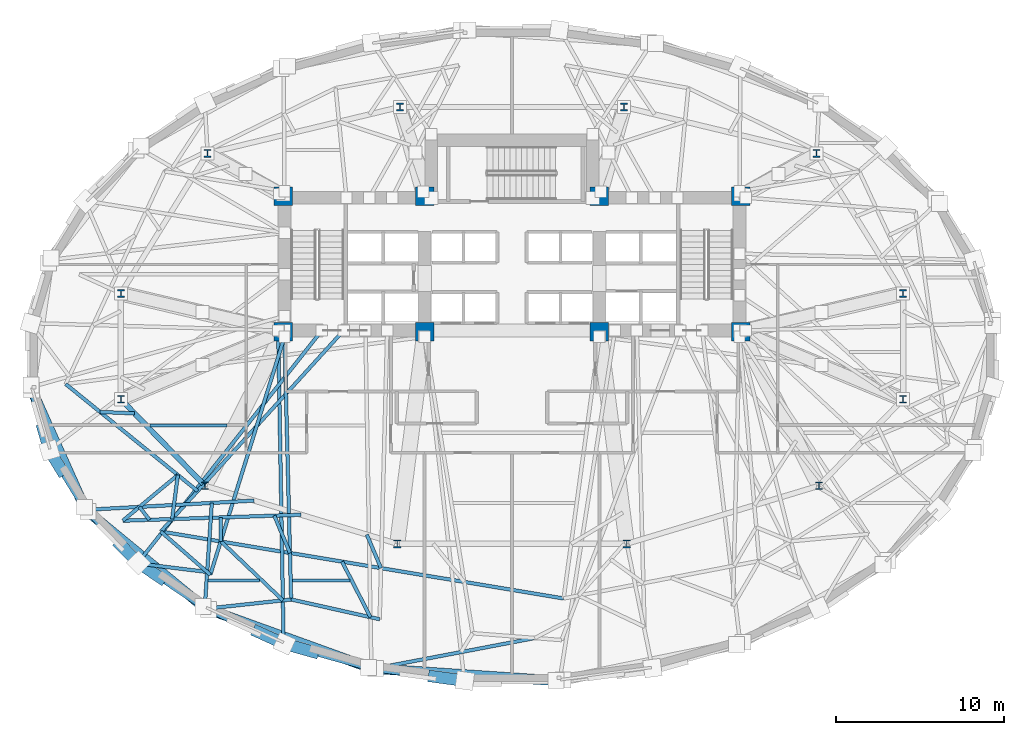
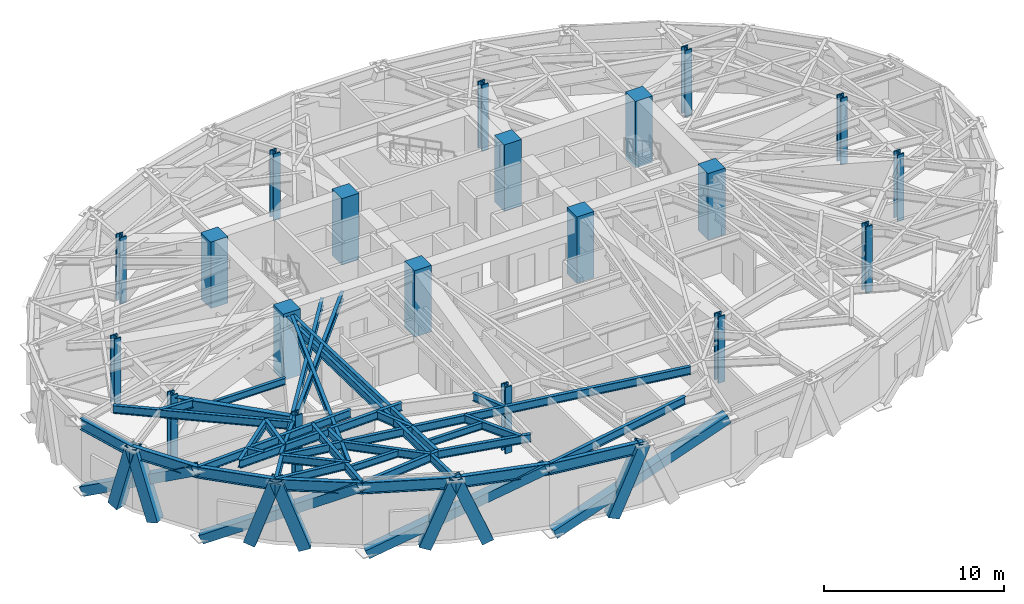
# One storey, part 1 of 14: 35 beams, 20 columns, 11 members.
"""IFC4 building model written with IfcOpenShell, lengths in metres."""

from ifc_helpers import new_model, si_unit, direction, frame, origin, origin_2d, place, context, subcontext, project, spatial, rectangle, hollow_rectangle, i_section, extrude, material, material_profile, profile_set, type_object, element, save


model = new_model("IFC4")

# Units and contexts
model_context = context("Model", 3, precision=1e-05, world=origin(), true_north=direction((0.0, 1.0)))
body_context = subcontext(model_context, "Body", "Model", "MODEL_VIEW")
ifc_project = project(units=[si_unit("LENGTHUNIT", "METRE"), si_unit("AREAUNIT", "SQUARE_METRE"), si_unit("VOLUMEUNIT", "CUBIC_METRE"), si_unit("PLANEANGLEUNIT", "RADIAN"), si_unit("MASSUNIT", "GRAM", prefix="KILO")], contexts=[model_context])

# Site, building, storey
site_placement = place(None, origin())
site = spatial("IfcSite", under=ifc_project, at=site_placement, CompositionType="ELEMENT")
building_placement = place(site_placement, origin())
building = spatial("IfcBuilding", under=site, at=building_placement, Name="Keldmark Tower", CompositionType="ELEMENT")
storey_placement = place(building_placement, frame((0.0, 0.0, 77.39990234375)))
storey = spatial("IfcBuildingStorey", under=building, at=storey_placement, Name="L20", CompositionType="ELEMENT", Elevation=77.39990234375)

# Columns
ifc_material_1 = material(Name="Concrete C70/85", Category="concrete")
ifc_material_profile_1 = material_profile(ifc_material_1, rectangle(XDim=1.10009765625, YDim=1.10009765625, at=origin_2d()), Name="RC1100X1100")
ifc_profile_set_1 = profile_set([ifc_material_profile_1], Name="Concrete C70/85")
column_type_1 = type_object("IfcColumnType", Name="Core Boundary Column RC1100", PredefinedType="COLUMN", material=ifc_profile_set_1)
for number, where, z_axis, x_axis, name in (
    (1, (-13.60009765625, 1.39990234375, 0.0), (0.0, 0.0, 1.0), (1.0, 0.0, 0.0), "L20 Core Boundary Column CC-W1"),
    (2, (-13.60009765625, 9.449951171875, 0.0), (0.0, 0.0, 1.0), (1.0, 0.0, 0.0), "L20 Core Boundary Column CC-W2"),
    (3, (-5.199951171875, 1.39990234375, 0.0), (0.0, 0.0, 1.0), (1.0, 0.0, 0.0), "L20 Core Boundary Column CC-W3"),
    (4, (-5.199951171875, 9.449951171875, 0.0), (0.0, 0.0, 1.0), (1.0, 0.0, 0.0), "L20 Core Boundary Column CC-W4"),
    (5, (5.199951171875, 1.39990234375, 0.0), (0.0, 0.0, 1.0), (1.0, 0.0, 0.0), "L20 Core Boundary Column CC-E1"),
    (6, (5.199951171875, 9.449951171875, 0.0), (0.0, 0.0, 1.0), (1.0, 0.0, 0.0), "L20 Core Boundary Column CC-E2"),
    (7, (13.60009765625, 1.39990234375, 0.0), (0.0, 0.0, 1.0), (1.0, 0.0, 0.0), "L20 Core Boundary Column CC-E3"),
    (8, (13.60009765625, 9.449951171875, 0.0), (0.0, 0.0, 1.0), (1.0, 0.0, 0.0), "L20 Core Boundary Column CC-E4"),
):
    element("IfcColumn", number, at=place(storey_placement, frame(where, z_axis=z_axis, x_axis=x_axis)), inside=storey, type_object=column_type_1, Name=name, PredefinedType="COLUMN", context=body_context, shape_type="SweptSolid", body=[
        extrude(rectangle(XDim=1.10009765625, YDim=1.10009765625, at=origin_2d()), origin(), (0.0, 0.0, 1.0), 4.5),
    ])
ifc_material_2 = material(Name="Steel ASTM A992 Grade 50", Category="steel")
ifc_material_profile_2 = material_profile(ifc_material_2, i_section(OverallWidth=0.424072265625, OverallDepth=0.47412109375, WebThickness=0.047607421875, FlangeThickness=0.0771484375, at=origin_2d()), Name="W14X426")
ifc_profile_set_2 = profile_set([ifc_material_profile_2], Name="Steel ASTM A992 Grade 50")
column_type_2 = type_object("IfcColumnType", Name="Tower Gravity Column W14X426", PredefinedType="COLUMN", material=ifc_profile_set_2)
for number, where, z_axis, x_axis, name in (
    (9, (23.25390625, 3.67724609375, 0.0), (0.0, 0.0, 1.0), (1.0, 0.0, 0.0), "L20 Tower Gravity Column TC-E1"),
    (10, (18.09765625, 12.00732421875, 0.0), (0.0, 0.0, 1.0), (1.0, 0.0, 0.0), "L20 Tower Gravity Column TC-E4"),
    (11, (6.6650390625, 14.760009765625, 0.0), (0.0, 0.0, 1.0), (1.0, 0.0, 0.0), "L20 Tower Gravity Column TC-N2"),
    (12, (-6.6650390625, 14.760009765625, 0.0), (0.0, 0.0, 1.0), (1.0, 0.0, 0.0), "L20 Tower Gravity Column TC-N1"),
    (13, (-18.09765625, 12.00732421875, 0.0), (0.0, 0.0, 1.0), (1.0, 0.0, 0.0), "L20 Tower Gravity Column TC-W4"),
    (14, (-23.25390625, 3.67724609375, 0.0), (0.0, 0.0, 1.0), (1.0, 0.0, 0.0), "L20 Tower Gravity Column TC-W1"),
    (15, (-23.25390625, -2.61328125, 0.0), (0.0, 0.0, 1.0), (1.0, 0.0, 0.0), "L20 Tower Gravity Column TC-W5"),
    (16, (-18.252685546875, -7.755615234375, 0.0), (0.0, 0.0, 1.0), (1.0, 0.0, 0.0), "L20 Tower Gravity Column TC-W2"),
    (17, (-6.822021484375, -11.205810546875, 0.0), (0.0, 0.0, 1.0), (1.0, 0.0, 0.0), "L20 Tower Gravity Column TC-W3"),
    (18, (6.822021484375, -11.205810546875, 0.0), (0.0, 0.0, 1.0), (1.0, 0.0, 0.0), "L20 Tower Gravity Column TC-E3"),
    (19, (18.252685546875, -7.755615234375, 0.0), (0.0, 0.0, 1.0), (1.0, 0.0, 0.0), "L20 Tower Gravity Column TC-E2"),
    (20, (23.25390625, -2.61328125, 0.0), (0.0, 0.0, 1.0), (1.0, 0.0, 0.0), "L20 Tower Gravity Column TC-E5"),
):
    element("IfcColumn", number, at=place(storey_placement, frame(where, z_axis=z_axis, x_axis=x_axis)), inside=storey, type_object=column_type_2, Name=name, PredefinedType="COLUMN", context=body_context, shape_type="SweptSolid", body=[
        extrude(i_section(OverallWidth=0.424072265625, OverallDepth=0.47412109375, WebThickness=0.047607421875, FlangeThickness=0.0771484375, at=origin_2d()), origin(), (0.0, 0.0, 1.0), 4.5),
    ])

# Members
ifc_material_3 = material(Name="Steel ASTM A572 Grade 50", Category="steel")
ifc_material_profile_3 = material_profile(ifc_material_3, hollow_rectangle(XDim=0.60009765625, YDim=0.60009765625, WallThickness=0.034912109375, at=origin_2d()), Name="BOX600X600X35")
ifc_profile_set_3 = profile_set([ifc_material_profile_3], Name="Steel ASTM A572 Grade 50")
member_type_1 = type_object("IfcMemberType", Name="Belt Truss Diagonal Brace BOX600", PredefinedType="BRACE", material=ifc_profile_set_3)
member_1_placement = place(storey_placement, frame((-28.5576171875, -2.055419921875, -0.539794921875), z_axis=(0.352275419144, -0.78551537135, 0.50879036001), x_axis=(0.912445212908, 0.409198892277, 0.0)))
element("IfcMember", 21, at=member_1_placement, inside=storey, type_object=member_type_1, Name="L20 Perimeter Belt Truss Brace 09", PredefinedType="BRACE", context=body_context, shape_type="SweptSolid", body=[
    extrude(hollow_rectangle(XDim=0.60009765625, YDim=0.60009765625, WallThickness=0.034912109375, at=origin_2d()), origin(), (0.0, 0.0, 1.0), 8.88330078125),
])
member_2_placement = place(storey_placement, frame((-25.220947265625, -9.291015625, -0.539794921875), z_axis=(0.687351392693, -0.566644585006, 0.454380872448), x_axis=(0.636102163056, 0.771604845861, 0.0)))
element("IfcMember", 22, at=member_2_placement, inside=storey, type_object=member_type_1, Name="L20 Perimeter Belt Truss Brace 10", PredefinedType="BRACE", context=body_context, shape_type="SweptSolid", body=[
    extrude(hollow_rectangle(XDim=0.60009765625, YDim=0.60009765625, WallThickness=0.034912109375, at=origin_2d()), origin(), (0.0, 0.0, 1.0), 9.947021484375),
])
member_3_placement = place(storey_placement, frame((-18.044677734375, -15.1123046875, -0.539794921875), z_axis=(0.858472983552, -0.31040781208, 0.408253752845), x_axis=(0.34003563135, 0.940412552773, 0.0)))
element("IfcMember", 23, at=member_3_placement, inside=storey, type_object=member_type_1, Name="L20 Perimeter Belt Truss Brace 11", PredefinedType="BRACE", context=body_context, shape_type="SweptSolid", body=[
    extrude(hollow_rectangle(XDim=0.60009765625, YDim=0.60009765625, WallThickness=0.034912109375, at=origin_2d()), origin(), (0.0, 0.0, 1.0), 11.071044921875),
])
member_4_placement = place(storey_placement, frame((-8.121337890625, -18.6328125, -0.539794921875), z_axis=(0.919777051664, -0.061204004872, 0.387639323365), x_axis=(0.066395385171, 0.997793391854, 0.0)))
element("IfcMember", 24, at=member_4_placement, inside=storey, type_object=member_type_1, Name="L20 Perimeter Belt Truss Brace 12", PredefinedType="BRACE", context=body_context, shape_type="SweptSolid", body=[
    extrude(hollow_rectangle(XDim=0.60009765625, YDim=0.60009765625, WallThickness=0.034912109375, at=origin_2d()), origin(), (0.0, 0.0, 1.0), 11.65966796875),
])

# Beams
ifc_material_4 = material(Name="Steel ASTM A992 Grade 50", Category="steel")
ifc_material_profile_4 = material_profile(ifc_material_4, i_section(OverallWidth=0.19091796875, OverallDepth=0.45703125, WebThickness=0.009033203125, FlangeThickness=0.014404296875, at=origin_2d()), Name="W18X50")
ifc_profile_set_4 = profile_set([ifc_material_profile_4], Name="Steel ASTM A992 Grade 50")
beam_type_1 = type_object("IfcBeamType", Name="Composite Floor Joist W18X50", PredefinedType="JOIST", material=ifc_profile_set_4)
beam_1_placement = place(storey_placement, frame((-18.06005859375, -13.3798828125, 4.051513671875), z_axis=(1.0, 0.0, 0.0), x_axis=(0.0, 1.0, 0.0)))
element("IfcBeam", 25, at=beam_1_placement, inside=storey, type_object=beam_type_1, Name="L20 Composite Floor Joist J01", PredefinedType="JOIST", context=body_context, shape_type="SweptSolid", body=[
    extrude(i_section(OverallWidth=0.19091796875, OverallDepth=0.45703125, WebThickness=0.009033203125, FlangeThickness=0.014404296875, at=origin_2d()), origin(), (0.0, 0.0, 1.0), 3.048828125),
])
beam_2_placement = place(storey_placement, frame((-13.063720703125, -13.3798828125, 4.051513671875), z_axis=(1.0, 0.0, 0.0), x_axis=(0.0, 1.0, 0.0)))
element("IfcBeam", 26, at=beam_2_placement, inside=storey, type_object=beam_type_1, Name="L20 Composite Floor Joist J02", PredefinedType="JOIST", context=body_context, shape_type="SweptSolid", body=[
    extrude(i_section(OverallWidth=0.19091796875, OverallDepth=0.45703125, WebThickness=0.009033203125, FlangeThickness=0.014404296875, at=origin_2d()), origin(), (0.0, 0.0, 1.0), 3.421875),
])
beam_3_placement = place(storey_placement, frame((-21.524658203125, -4.179931640625, 4.051513671875), z_axis=(1.0, 0.0, 0.0), x_axis=(0.0, 1.0, 0.0)))
element("IfcBeam", 27, at=beam_3_placement, inside=storey, type_object=beam_type_1, Name="L20 Composite Floor Joist J05", PredefinedType="JOIST", context=body_context, shape_type="SweptSolid", body=[
    extrude(i_section(OverallWidth=0.19091796875, OverallDepth=0.45703125, WebThickness=0.009033203125, FlangeThickness=0.014404296875, at=origin_2d()), origin(), (0.0, 0.0, 1.0), 4.59375),
])

# Members
ifc_material_5 = material(Name="Steel ASTM A572 Grade 50", Category="steel")
ifc_material_profile_5 = material_profile(ifc_material_5, hollow_rectangle(XDim=0.699951171875, YDim=0.699951171875, WallThickness=0.054931640625, at=origin_2d()), Name="BOX700X700X55")
ifc_profile_set_5 = profile_set([ifc_material_profile_5], Name="Steel ASTM A572 Grade 50")
member_type_2 = type_object("IfcMemberType", Name="Diagrid Zone 1 Brace BOX700X700X55", PredefinedType="BRACE", material=ifc_profile_set_5)
member_5_placement = place(storey_placement, frame((-27.8671875, -4.40478515625, -0.31982421875), z_axis=(0.078649511346, -0.267921156415, 0.960225238322), x_axis=(0.959511596094, 0.281669126744, 0.0)))
element("IfcMember", 28, at=member_5_placement, inside=storey, type_object=member_type_2, Name="L20 Perimeter Diagrid Brace 09A", PredefinedType="BRACE", context=body_context, shape_type="SweptSolid", body=[
    extrude(hollow_rectangle(XDim=0.699951171875, YDim=0.699951171875, WallThickness=0.054931640625, at=origin_2d()), origin(), (0.0, 0.0, 1.0), 4.66552734375),
])
member_6_placement = place(storey_placement, frame((-26.7822265625, -6.8203125, -0.31982421875), z_axis=(-0.153640198421, 0.251084541216, 0.9556941156), x_axis=(-0.852979915636, -0.521943735973, 0.0)))
element("IfcMember", 29, at=member_6_placement, inside=storey, type_object=member_type_2, Name="L20 Perimeter Diagrid Brace 09B", PredefinedType="BRACE", context=body_context, shape_type="SweptSolid", body=[
    extrude(hollow_rectangle(XDim=0.699951171875, YDim=0.699951171875, WallThickness=0.054931640625, at=origin_2d()), origin(), (0.0, 0.0, 1.0), 4.687744140625),
])
member_7_placement = place(storey_placement, frame((-23.25537109375, -11.282958984375, -0.31982421875), z_axis=(0.221500194035, -0.224396297436, 0.94899102511), x_axis=(0.711684437638, 0.702499296244, 0.0)))
element("IfcMember", 30, at=member_7_placement, inside=storey, type_object=member_type_2, Name="L20 Perimeter Diagrid Brace 10A", PredefinedType="BRACE", context=body_context, shape_type="SweptSolid", body=[
    extrude(hollow_rectangle(XDim=0.699951171875, YDim=0.699951171875, WallThickness=0.054931640625, at=origin_2d()), origin(), (0.0, 0.0, 1.0), 4.720703125),
])
member_8_placement = place(storey_placement, frame((-20.885498046875, -13.233642578125, -0.31982421875), z_axis=(-0.279608553721, 0.189329512343, 0.941261596179), x_axis=(-0.560680193358, -0.828032439446, 0.0)))
element("IfcMember", 31, at=member_8_placement, inside=storey, type_object=member_type_2, Name="L20 Perimeter Diagrid Brace 10B", PredefinedType="BRACE", context=body_context, shape_type="SweptSolid", body=[
    extrude(hollow_rectangle(XDim=0.699951171875, YDim=0.699951171875, WallThickness=0.054931640625, at=origin_2d()), origin(), (0.0, 0.0, 1.0), 4.759521484375),
])
member_9_placement = place(storey_placement, frame((-15.102783203125, -16.443115234375, -0.31982421875), z_axis=(0.32612174834, -0.147566401964, 0.933739129667), x_axis=(0.412249348078, 0.911071059253, 0.0)))
element("IfcMember", 32, at=member_9_placement, inside=storey, type_object=member_type_2, Name="L20 Perimeter Diagrid Brace 11A", PredefinedType="BRACE", context=body_context, shape_type="SweptSolid", body=[
    extrude(hollow_rectangle(XDim=0.699951171875, YDim=0.699951171875, WallThickness=0.054931640625, at=origin_2d()), origin(), (0.0, 0.0, 1.0), 4.7978515625),
])
member_10_placement = place(storey_placement, frame((-11.80908203125, -17.632080078125, -0.31982421875), z_axis=(-0.359975574224, 0.100936706224, 0.927485507865), x_axis=(-0.269985949358, -0.962864262058, 0.0)))
element("IfcMember", 33, at=member_10_placement, inside=storey, type_object=member_type_2, Name="L20 Perimeter Diagrid Brace 11B", PredefinedType="BRACE", context=body_context, shape_type="SweptSolid", body=[
    extrude(hollow_rectangle(XDim=0.699951171875, YDim=0.699951171875, WallThickness=0.054931640625, at=origin_2d()), origin(), (0.0, 0.0, 1.0), 4.830322265625),
])
member_11_placement = place(storey_placement, frame((-4.6513671875, -19.10009765625, -0.31982421875), z_axis=(0.38047009365, -0.051225837235, 0.923373392208), x_axis=(0.133434294372, 0.991057661837, 0.0)))
element("IfcMember", 34, at=member_11_placement, inside=storey, type_object=member_type_2, Name="L20 Perimeter Diagrid Brace 12A", PredefinedType="BRACE", context=body_context, shape_type="SweptSolid", body=[
    extrude(hollow_rectangle(XDim=0.699951171875, YDim=0.699951171875, WallThickness=0.054931640625, at=origin_2d()), origin(), (0.0, 0.0, 1.0), 4.851806640625),
])

# Beams
ifc_material_6 = material(Name="Steel ASTM A992 Grade 50", Category="steel")
ifc_material_profile_6 = material_profile(ifc_material_6, i_section(OverallWidth=0.31005859375, OverallDepth=0.931884765625, WebThickness=0.02099609375, FlangeThickness=0.034423828125, at=origin_2d()), Name="W36X210")
ifc_profile_set_6 = profile_set([ifc_material_profile_6], Name="Steel ASTM A992 Grade 50")
beam_type_2 = type_object("IfcBeamType", Name="Outrigger Chord Girder W36X210", PredefinedType="BEAM", material=ifc_profile_set_6)
beam_4_placement = place(storey_placement, frame((-23.156494140625, -2.713623046875, 3.814208984375), z_axis=(0.697210382268, -0.716866572563, 0.0), x_axis=(0.716866572563, 0.697210382268, 0.0)))
element("IfcBeam", 35, at=beam_4_placement, inside=storey, type_object=beam_type_2, Name="L20 Floor Ring Girder FG-R07", PredefinedType="BEAM", context=body_context, shape_type="SweptSolid", body=[
    extrude(i_section(OverallWidth=0.31005859375, OverallDepth=0.931884765625, WebThickness=0.02099609375, FlangeThickness=0.034423828125, at=origin_2d()), origin(), (0.0, 0.0, 1.0), 6.893310546875),
])
ifc_material_7 = material(Name="Steel ASTM A992 Grade 50", Category="steel")
ifc_material_profile_7 = material_profile(ifc_material_7, i_section(OverallWidth=0.2099609375, OverallDepth=0.537109375, WebThickness=0.010986328125, FlangeThickness=0.017333984375, at=origin_2d()), Name="W21X68")
ifc_profile_set_7 = profile_set([ifc_material_profile_7], Name="Steel ASTM A992 Grade 50")
beam_type_3 = type_object("IfcBeamType", Name="Radial Tie Girder W21X68", PredefinedType="BEAM", material=ifc_profile_set_7)
beam_5_placement = place(storey_placement, frame((-26.531982421875, -1.709228515625, 4.01171875), z_axis=(0.77664321849, -0.629940720364, 0.0), x_axis=(0.629940720364, 0.77664321849, 0.0)))
element("IfcBeam", 36, at=beam_5_placement, inside=storey, type_object=beam_type_3, Name="L20 Framing Pin Header PH-010", PredefinedType="BEAM", context=body_context, shape_type="SweptSolid", body=[
    extrude(i_section(OverallWidth=0.2099609375, OverallDepth=0.537109375, WebThickness=0.010986328125, FlangeThickness=0.017333984375, at=origin_2d()), origin(), (0.0, 0.0, 1.0), 10.098388671875),
])
beam_6_placement = place(storey_placement, frame((-10.0107421875, 1.47509765625, 4.01171875), z_axis=(-0.672704386819, -0.739911351417, 0.0), x_axis=(0.739911351417, -0.672704386819, 0.0)))
element("IfcBeam", 37, at=beam_6_placement, inside=storey, type_object=beam_type_3, Name="L20 Sub-Ring Step Girder STP2-M08", PredefinedType="BEAM", context=body_context, shape_type="SweptSolid", body=[
    extrude(i_section(OverallWidth=0.2099609375, OverallDepth=0.537109375, WebThickness=0.010986328125, FlangeThickness=0.017333984375, at=origin_2d()), origin(), (0.0, 0.0, 1.0), 16.154541015625),
])
beam_7_placement = place(storey_placement, frame((-20.8779296875, -10.477783203125, 4.01171875), z_axis=(0.986481309815, -0.163873809332, 0.0), x_axis=(0.163873809332, 0.986481309815, 0.0)))
element("IfcBeam", 38, at=beam_7_placement, inside=storey, type_object=beam_type_3, Name="L20 Perimeter Collector Ring Beam CRG2-M08", PredefinedType="BEAM", context=body_context, shape_type="SweptSolid", body=[
    extrude(i_section(OverallWidth=0.2099609375, OverallDepth=0.537109375, WebThickness=0.010986328125, FlangeThickness=0.017333984375, at=origin_2d()), origin(), (0.0, 0.0, 1.0), 24.27490234375),
])
beam_8_placement = place(storey_placement, frame((-22.435546875, -3.454833984375, 4.01171875), z_axis=(-0.999113170891, 0.04210548363, 0.0), x_axis=(-0.04210548363, -0.999113170891, 0.0)))
element("IfcBeam", 39, at=beam_8_placement, inside=storey, type_object=beam_type_3, Name="L20 Framing Pin Header PH-028", PredefinedType="BEAM", context=body_context, shape_type="SweptSolid", body=[
    extrude(i_section(OverallWidth=0.2099609375, OverallDepth=0.537109375, WebThickness=0.010986328125, FlangeThickness=0.017333984375, at=origin_2d()), origin(), (0.0, 0.0, 1.0), 2.052490234375),
])
beam_9_placement = place(storey_placement, frame((-19.865478515625, -7.1162109375, 4.01171875), z_axis=(-0.128229290455, -0.991744548293, 0.0), x_axis=(0.991744548293, -0.128229290455, 0.0)))
element("IfcBeam", 40, at=beam_9_placement, inside=storey, type_object=beam_type_3, Name="L20 Framing Pin Header PH-029", PredefinedType="BEAM", context=body_context, shape_type="SweptSolid", body=[
    extrude(i_section(OverallWidth=0.2099609375, OverallDepth=0.537109375, WebThickness=0.010986328125, FlangeThickness=0.017333984375, at=origin_2d()), origin(), (0.0, 0.0, 1.0), 2.642578125),
])
beam_10_placement = place(storey_placement, frame((-12.537353515625, -9.480712890625, 4.01171875), z_axis=(-0.999442170255, -0.03339683092, 0.0), x_axis=(0.03339683092, -0.999442170255, 0.0)))
element("IfcBeam", 41, at=beam_10_placement, inside=storey, type_object=beam_type_3, Name="L20 Intermediate Radial Step Girder RT-19M", PredefinedType="BEAM", context=body_context, shape_type="SweptSolid", body=[
    extrude(i_section(OverallWidth=0.2099609375, OverallDepth=0.537109375, WebThickness=0.010986328125, FlangeThickness=0.017333984375, at=origin_2d()), origin(), (0.0, 0.0, 1.0), 10.607177734375),
])
beam_11_placement = place(storey_placement, frame((-19.865478515625, -7.1162109375, 4.01171875), z_axis=(-0.769250245271, -0.638947619254, 0.0), x_axis=(0.638947619254, -0.769250245271, 0.0)))
element("IfcBeam", 42, at=beam_11_placement, inside=storey, type_object=beam_type_3, Name="L20 Local Collector Chord RT-19C", PredefinedType="BEAM", context=body_context, shape_type="SweptSolid", body=[
    extrude(i_section(OverallWidth=0.2099609375, OverallDepth=0.537109375, WebThickness=0.010986328125, FlangeThickness=0.017333984375, at=origin_2d()), origin(), (0.0, 0.0, 1.0), 4.255126953125),
])
beam_12_placement = place(storey_placement, frame((-21.54833984375, -9.781982421875, 4.01171875), z_axis=(-0.616207067798, 0.78758418572, 0.0), x_axis=(-0.78758418572, -0.616207067798, 0.0)))
element("IfcBeam", 43, at=beam_12_placement, inside=storey, type_object=beam_type_3, Name="L20 Framing Pin Header PH-030", PredefinedType="BEAM", context=body_context, shape_type="SweptSolid", body=[
    extrude(i_section(OverallWidth=0.2099609375, OverallDepth=0.537109375, WebThickness=0.010986328125, FlangeThickness=0.017333984375, at=origin_2d()), origin(), (0.0, 0.0, 1.0), 0.975830078125),
])
beam_13_placement = place(storey_placement, frame((-15.328125, -8.638427734375, 4.01171875), z_axis=(-0.998492064071, -0.054896247486, 0.0), x_axis=(0.054896247486, -0.998492064071, 0.0)))
element("IfcBeam", 44, at=beam_13_placement, inside=storey, type_object=beam_type_3, Name="L20 Perimeter Radial Tie Girder RT-19", PredefinedType="BEAM", context=body_context, shape_type="SweptSolid", body=[
    extrude(i_section(OverallWidth=0.2099609375, OverallDepth=0.537109375, WebThickness=0.010986328125, FlangeThickness=0.017333984375, at=origin_2d()), origin(), (0.0, 0.0, 1.0), 10.08642578125),
])
beam_14_placement = place(storey_placement, frame((-11.30712890625, 1.47509765625, 4.01171875), z_axis=(-0.620507417793, -0.784200576679, 0.0), x_axis=(0.784200576679, -0.620507417793, 0.0)))
element("IfcBeam", 45, at=beam_14_placement, inside=storey, type_object=beam_type_3, Name="L20 Perimeter Radial Tie Girder RT-20", PredefinedType="BEAM", context=body_context, shape_type="SweptSolid", body=[
    extrude(i_section(OverallWidth=0.2099609375, OverallDepth=0.537109375, WebThickness=0.010986328125, FlangeThickness=0.017333984375, at=origin_2d()), origin(), (0.0, 0.0, 1.0), 17.65576171875),
])
beam_15_placement = place(storey_placement, frame((-17.307861328125, -9.64013671875, 4.01171875), z_axis=(-0.006661963537, -0.999977808875, 0.0), x_axis=(0.999977808875, -0.006661963537, 0.0)))
element("IfcBeam", 46, at=beam_15_placement, inside=storey, type_object=beam_type_3, Name="L20 Framing Pin Header PH-031", PredefinedType="BEAM", context=body_context, shape_type="SweptSolid", body=[
    extrude(i_section(OverallWidth=0.2099609375, OverallDepth=0.537109375, WebThickness=0.010986328125, FlangeThickness=0.017333984375, at=origin_2d()), origin(), (0.0, 0.0, 1.0), 1.42919921875),
])
beam_16_placement = place(storey_placement, frame((-13.52490234375, 1.10009765625, 4.01171875), z_axis=(-0.297524473693, -0.954714191554, 0.0), x_axis=(0.954714191554, -0.297524473693, 0.0)))
element("IfcBeam", 47, at=beam_16_placement, inside=storey, type_object=beam_type_3, Name="L20 Intermediate Radial Step Girder RT-21M", PredefinedType="BEAM", context=body_context, shape_type="SweptSolid", body=[
    extrude(i_section(OverallWidth=0.2099609375, OverallDepth=0.537109375, WebThickness=0.010986328125, FlangeThickness=0.017333984375, at=origin_2d()), origin(), (0.0, 0.0, 1.0), 14.819580078125),
])
beam_17_placement = place(storey_placement, frame((-20.8779296875, -10.477783203125, 4.01171875), z_axis=(0.753249638303, -0.657734735586, 0.0), x_axis=(0.657734735586, 0.753249638303, 0.0)))
element("IfcBeam", 48, at=beam_17_placement, inside=storey, type_object=beam_type_3, Name="L20 Local Collector Chord RT-21C", PredefinedType="BEAM", context=body_context, shape_type="SweptSolid", body=[
    extrude(i_section(OverallWidth=0.2099609375, OverallDepth=0.537109375, WebThickness=0.010986328125, FlangeThickness=0.017333984375, at=origin_2d()), origin(), (0.0, 0.0, 1.0), 3.908203125),
])
beam_18_placement = place(storey_placement, frame((-22.2626953125, -12.37060546875, 4.01171875), z_axis=(0.992418594109, -0.122903759369, 0.0), x_axis=(0.122903759369, 0.992418594109, 0.0)))
element("IfcBeam", 49, at=beam_18_placement, inside=storey, type_object=beam_type_3, Name="L20 Framing Pin Header PH-032", PredefinedType="BEAM", context=body_context, shape_type="SweptSolid", body=[
    extrude(i_section(OverallWidth=0.2099609375, OverallDepth=0.537109375, WebThickness=0.010986328125, FlangeThickness=0.017333984375, at=origin_2d()), origin(), (0.0, 0.0, 1.0), 4.171630859375),
])
beam_19_placement = place(storey_placement, frame((-17.845947265625, -8.77685546875, 4.01171875), z_axis=(-0.067271273334, -0.99773472215, 0.0), x_axis=(0.99773472215, -0.067271273334, 0.0)))
element("IfcBeam", 50, at=beam_19_placement, inside=storey, type_object=beam_type_3, Name="L20 Perimeter Radial Tie Girder RT-21", PredefinedType="BEAM", context=body_context, shape_type="SweptSolid", body=[
    extrude(i_section(OverallWidth=0.2099609375, OverallDepth=0.537109375, WebThickness=0.010986328125, FlangeThickness=0.017333984375, at=origin_2d()), origin(), (0.0, 0.0, 1.0), 6.311279296875),
])
beam_20_placement = place(storey_placement, frame((-14.127685546875, -9.533935546875, 4.01171875), z_axis=(0.38543693002, -0.922734183271, 0.0), x_axis=(0.922734183271, 0.38543693002, 0.0)))
element("IfcBeam", 51, at=beam_20_placement, inside=storey, type_object=beam_type_3, Name="L20 Framing Pin Header PH-033", PredefinedType="BEAM", context=body_context, shape_type="SweptSolid", body=[
    extrude(i_section(OverallWidth=0.2099609375, OverallDepth=0.537109375, WebThickness=0.010986328125, FlangeThickness=0.017333984375, at=origin_2d()), origin(), (0.0, 0.0, 1.0), 2.405029296875),
])
beam_21_placement = place(storey_placement, frame((-13.52490234375, 1.10009765625, 4.01171875), z_axis=(0.025206145017, -0.999682274652, 0.0), x_axis=(0.999682274652, 0.025206145017, 0.0)))
element("IfcBeam", 52, at=beam_21_placement, inside=storey, type_object=beam_type_3, Name="L20 Intermediate Radial Step Girder RT-22M", PredefinedType="BEAM", context=body_context, shape_type="SweptSolid", body=[
    extrude(i_section(OverallWidth=0.2099609375, OverallDepth=0.537109375, WebThickness=0.010986328125, FlangeThickness=0.017333984375, at=origin_2d()), origin(), (0.0, 0.0, 1.0), 15.623046875),
])
beam_22_placement = place(storey_placement, frame((-18.2705078125, -15.07373046875, 4.01171875), z_axis=(0.994205956316, 0.107491936562, 0.0), x_axis=(-0.107491936562, 0.994205956316, 0.0)))
element("IfcBeam", 53, at=beam_22_placement, inside=storey, type_object=beam_type_3, Name="L20 Local Collector Chord RT-22C", PredefinedType="BEAM", context=body_context, shape_type="SweptSolid", body=[
    extrude(i_section(OverallWidth=0.2099609375, OverallDepth=0.537109375, WebThickness=0.010986328125, FlangeThickness=0.017333984375, at=origin_2d()), origin(), (0.0, 0.0, 1.0), 5.16943359375),
])
beam_23_placement = place(storey_placement, frame((-17.285888671875, -11.07470703125, 4.01171875), z_axis=(0.723494513477, -0.690330130422, 0.0), x_axis=(0.690330130422, 0.723494513477, 0.0)))
element("IfcBeam", 54, at=beam_23_placement, inside=storey, type_object=beam_type_3, Name="L20 Framing Pin Header PH-034", PredefinedType="BEAM", context=body_context, shape_type="SweptSolid", body=[
    extrude(i_section(OverallWidth=0.2099609375, OverallDepth=0.537109375, WebThickness=0.010986328125, FlangeThickness=0.017333984375, at=origin_2d()), origin(), (0.0, 0.0, 1.0), 5.064697265625),
])
beam_24_placement = place(storey_placement, frame((-13.89990234375, 1.47509765625, 4.01171875), z_axis=(0.01733458104, -0.999849744862, 0.0), x_axis=(0.999849744862, 0.01733458104, 0.0)))
element("IfcBeam", 55, at=beam_24_placement, inside=storey, type_object=beam_type_3, Name="L20 Perimeter Radial Tie Girder RT-22", PredefinedType="BEAM", context=body_context, shape_type="SweptSolid", body=[
    extrude(i_section(OverallWidth=0.2099609375, OverallDepth=0.537109375, WebThickness=0.010986328125, FlangeThickness=0.017333984375, at=origin_2d()), origin(), (0.0, 0.0, 1.0), 18.67529296875),
])
beam_25_placement = place(storey_placement, frame((-8.630615234375, -10.659912109375, 4.01171875), z_axis=(0.389720967722, -0.92093298742, 0.0), x_axis=(0.92093298742, 0.389720967722, 0.0)))
element("IfcBeam", 56, at=beam_25_placement, inside=storey, type_object=beam_type_3, Name="L20 Framing Pin Header PH-035", PredefinedType="BEAM", context=body_context, shape_type="SweptSolid", body=[
    extrude(i_section(OverallWidth=0.2099609375, OverallDepth=0.537109375, WebThickness=0.010986328125, FlangeThickness=0.017333984375, at=origin_2d()), origin(), (0.0, 0.0, 1.0), 2.163818359375),
])
beam_26_placement = place(storey_placement, frame((-13.131103515625, -14.51806640625, 4.01171875), z_axis=(0.976067618206, -0.217467249692, 0.0), x_axis=(0.217467249692, 0.976067618206, 0.0)))
element("IfcBeam", 57, at=beam_26_placement, inside=storey, type_object=beam_type_3, Name="L20 Local Collector Chord RT-23C", PredefinedType="BEAM", context=body_context, shape_type="SweptSolid", body=[
    extrude(i_section(OverallWidth=0.2099609375, OverallDepth=0.537109375, WebThickness=0.010986328125, FlangeThickness=0.017333984375, at=origin_2d()), origin(), (0.0, 0.0, 1.0), 5.393310546875),
])
beam_27_placement = place(storey_placement, frame((-10.101806640625, -12.26806640625, 4.01171875), z_axis=(0.455151673236, -0.890413923044, 0.0), x_axis=(0.890413923044, 0.455151673236, 0.0)))
element("IfcBeam", 58, at=beam_27_placement, inside=storey, type_object=beam_type_3, Name="L20 Framing Pin Header PH-036", PredefinedType="BEAM", context=body_context, shape_type="SweptSolid", body=[
    extrude(i_section(OverallWidth=0.2099609375, OverallDepth=0.537109375, WebThickness=0.010986328125, FlangeThickness=0.017333984375, at=origin_2d()), origin(), (0.0, 0.0, 1.0), 3.70703125),
])
beam_28_placement = place(storey_placement, frame((-8.360107421875, -18.660400390625, 4.01171875), z_axis=(0.982318906756, 0.187215291657, 0.0), x_axis=(-0.187215291657, 0.982318906756, 0.0)))
element("IfcBeam", 59, at=beam_28_placement, inside=storey, type_object=beam_type_3, Name="L20 Straddling Support Chord RT-24RB", PredefinedType="BEAM", context=body_context, shape_type="SweptSolid", body=[
    extrude(i_section(OverallWidth=0.2099609375, OverallDepth=0.537109375, WebThickness=0.010986328125, FlangeThickness=0.017333984375, at=origin_2d()), origin(), (0.0, 0.0, 1.0), 9.89404296875),
])
ifc_material_8 = material(Name="Steel ASTM A992 Grade 50", Category="steel")
ifc_material_profile_8 = material_profile(ifc_material_8, i_section(OverallWidth=0.26806640625, OverallDepth=0.77001953125, WebThickness=0.015625, FlangeThickness=0.025390625, at=origin_2d()), Name="W30X132")
ifc_profile_set_8 = profile_set([ifc_material_profile_8], Name="Steel ASTM A992 Grade 50")
beam_type_4 = type_object("IfcBeamType", Name="Spandrel Ring Beam W30X132", PredefinedType="SPANDREL", material=ifc_profile_set_8)
beam_29_placement = place(storey_placement, frame((-28.661376953125, -1.911376953125, 3.89501953125), z_axis=(0.281892332735, -0.959446044728, 0.0), x_axis=(0.959446044728, 0.281892332735, 0.0)))
element("IfcBeam", 60, at=beam_29_placement, inside=storey, type_object=beam_type_4, Name="L20 Perimeter Spandrel Ring Beam SRB-17", PredefinedType="SPANDREL", context=body_context, shape_type="SweptSolid", body=[
    extrude(i_section(OverallWidth=0.26806640625, OverallDepth=0.77001953125, WebThickness=0.015625, FlangeThickness=0.025390625, at=origin_2d()), origin(), (0.0, 0.0, 1.0), 3.90771484375),
])
beam_30_placement = place(storey_placement, frame((-27.559814453125, -5.66064453125, 3.89501953125), z_axis=(0.521848315684, -0.853038296572, 0.0), x_axis=(0.853038296572, 0.521848315684, 0.0)))
element("IfcBeam", 61, at=beam_30_placement, inside=storey, type_object=beam_type_4, Name="L20 Perimeter Spandrel Ring Beam SRB-18", PredefinedType="SPANDREL", context=body_context, shape_type="SweptSolid", body=[
    extrude(i_section(OverallWidth=0.26806640625, OverallDepth=0.77001953125, WebThickness=0.015625, FlangeThickness=0.025390625, at=origin_2d()), origin(), (0.0, 0.0, 1.0), 4.139892578125),
])
beam_31_placement = place(storey_placement, frame((-25.3994140625, -9.192138671875, 3.89501953125), z_axis=(0.702416934119, -0.711765727373, 0.0), x_axis=(0.711765727373, 0.702416934119, 0.0)))
element("IfcBeam", 62, at=beam_31_placement, inside=storey, type_object=beam_type_4, Name="L20 Perimeter Spandrel Ring Beam SRB-19", PredefinedType="SPANDREL", context=body_context, shape_type="SweptSolid", body=[
    extrude(i_section(OverallWidth=0.26806640625, OverallDepth=0.77001953125, WebThickness=0.015625, FlangeThickness=0.025390625, at=origin_2d()), origin(), (0.0, 0.0, 1.0), 4.465576171875),
])
beam_32_placement = place(storey_placement, frame((-22.2626953125, -12.37060546875, 3.89501953125), z_axis=(0.82804003003, -0.560668983151, 0.0), x_axis=(0.560668983151, 0.82804003003, 0.0)))
element("IfcBeam", 63, at=beam_32_placement, inside=storey, type_object=beam_type_4, Name="L20 Perimeter Spandrel Ring Beam SRB-20", PredefinedType="SPANDREL", context=body_context, shape_type="SweptSolid", body=[
    extrude(i_section(OverallWidth=0.26806640625, OverallDepth=0.77001953125, WebThickness=0.015625, FlangeThickness=0.025390625, at=origin_2d()), origin(), (0.0, 0.0, 1.0), 4.8212890625),
])
beam_33_placement = place(storey_placement, frame((-18.2705078125, -15.07373046875, 3.89501953125), z_axis=(0.911096907159, -0.412192219439, 0.0), x_axis=(0.412192219439, 0.911096907159, 0.0)))
element("IfcBeam", 64, at=beam_33_placement, inside=storey, type_object=beam_type_4, Name="L20 Perimeter Spandrel Ring Beam SRB-21", PredefinedType="SPANDREL", context=body_context, shape_type="SweptSolid", body=[
    extrude(i_section(OverallWidth=0.26806640625, OverallDepth=0.77001953125, WebThickness=0.015625, FlangeThickness=0.025390625, at=origin_2d()), origin(), (0.0, 0.0, 1.0), 5.15234375),
])
beam_34_placement = place(storey_placement, frame((-13.576171875, -17.197509765625, 3.89501953125), z_axis=(0.962849260033, -0.270039446109, 0.0), x_axis=(0.270039446109, 0.962849260033, 0.0)))
element("IfcBeam", 65, at=beam_34_placement, inside=storey, type_object=beam_type_4, Name="L20 Perimeter Spandrel Ring Beam SRB-22", PredefinedType="SPANDREL", context=body_context, shape_type="SweptSolid", body=[
    extrude(i_section(OverallWidth=0.26806640625, OverallDepth=0.77001953125, WebThickness=0.015625, FlangeThickness=0.025390625, at=origin_2d()), origin(), (0.0, 0.0, 1.0), 5.417236328125),
])
beam_35_placement = place(storey_placement, frame((-8.360107421875, -18.660400390625, 3.89501953125), z_axis=(0.99105532763, -0.133451630096, 0.0), x_axis=(0.133451630096, 0.99105532763, 0.0)))
element("IfcBeam", 66, at=beam_35_placement, inside=storey, type_object=beam_type_4, Name="L20 Perimeter Spandrel Ring Beam SRB-23", PredefinedType="SPANDREL", context=body_context, shape_type="SweptSolid", body=[
    extrude(i_section(OverallWidth=0.26806640625, OverallDepth=0.77001953125, WebThickness=0.015625, FlangeThickness=0.025390625, at=origin_2d()), origin(), (0.0, 0.0, 1.0), 5.587158203125),
])

save(model, "model.ifc")
